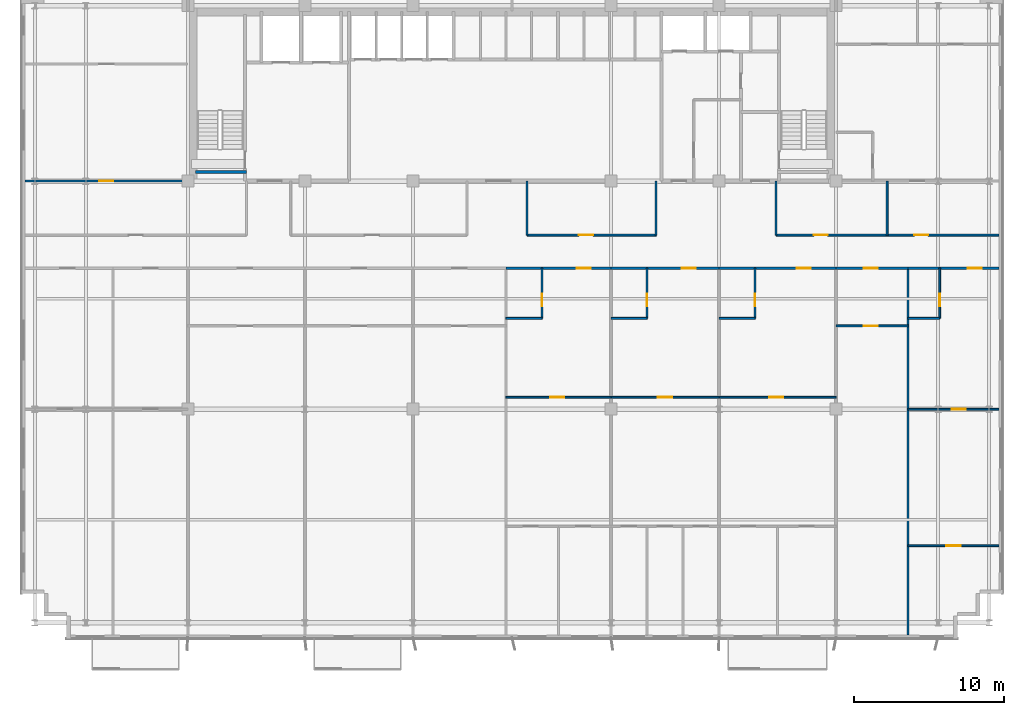
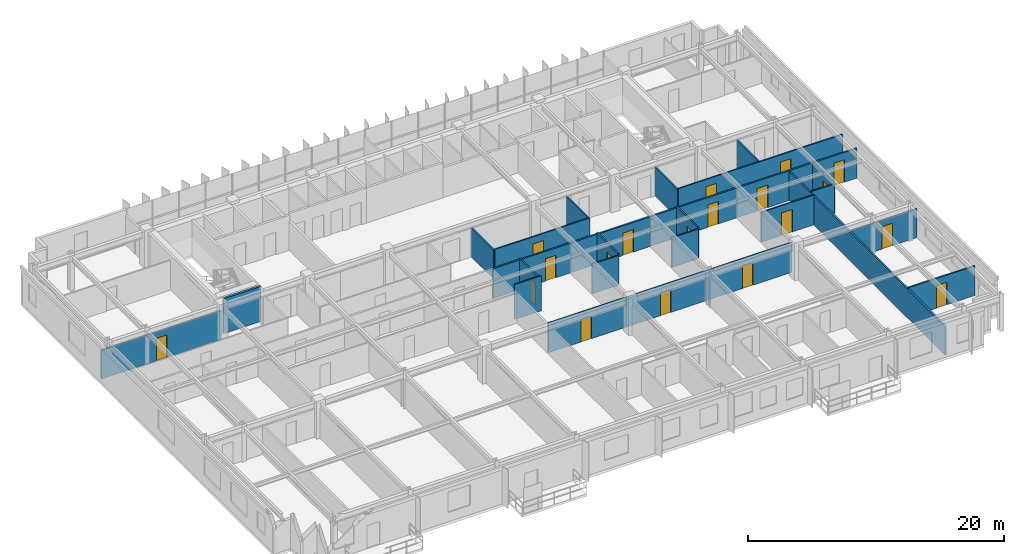
# One storey, part 16 of 22: 28 walls, 19 doors, 19 openings.
"""IFC4 building model written with IfcOpenShell, lengths in metres."""

from ifc_helpers import new_model, si_unit, direction, frame, frame_2d, origin, place, context, subcontext, project, spatial, rectangle, extrude, source, transform, mapped, material, layer, layer_set, type_object, element, fill, save


model = new_model("IFC4")

# Units and contexts
model_context = context("Model", 3, precision=1e-05, world=origin(), true_north=direction((0.0, 1.0)))
body_context = subcontext(model_context, "Body", "Model", "MODEL_VIEW")
ifc_project = project(units=[si_unit("LENGTHUNIT", "METRE"), si_unit("AREAUNIT", "SQUARE_METRE"), si_unit("VOLUMEUNIT", "CUBIC_METRE"), si_unit("PLANEANGLEUNIT", "RADIAN"), si_unit("MASSUNIT", "GRAM", prefix="KILO")], contexts=[model_context])

# Site, building, storey
site_placement = place(None, origin())
site = spatial("IfcSite", under=ifc_project, at=site_placement, CompositionType="ELEMENT")
building_placement = place(site_placement, origin())
building = spatial("IfcBuilding", under=site, at=building_placement, Name="Trelvane Seafront Commons", CompositionType="ELEMENT")
storey_placement = place(building_placement, frame((0.0, 0.0, 88.89990234375)))
storey = spatial("IfcBuildingStorey", under=building, at=storey_placement, Name="L22", CompositionType="ELEMENT", Elevation=88.89990234375)

# Wall, opening, door
ifc_material_1 = material(Name="Gypsum Drywall Acoustic Partition")
ifc_layer_1 = layer(ifc_material_1, 0.1201171875, Name="ARCH-WALL-PART120")
ifc_layer_set_1 = layer_set([ifc_layer_1], Name="Gypsum Drywall Acoustic Partition")
wall_type_1 = type_object("IfcWallType", Name="ARCH-WALL-PART120", PredefinedType="PARTITIONING", material=ifc_layer_set_1)
wall_1_placement = place(storey_placement, frame((38.199951171875, 29.800048828125, 0.0), z_axis=(0.0, 0.0, 1.0), x_axis=(1.0, 0.0, 0.0)))
wall_1 = element("IfcWall", 1, at=wall_1_placement, inside=storey, type_object=wall_type_1, Name="W-L22-CORR-N-M2-040", PredefinedType="PARTITIONING", context=body_context, shape_type="SweptSolid", body=[
    extrude(rectangle(XDim=8.60009765625, YDim=0.1201171875, at=frame_2d((4.300048828125, 0.0))), origin(), (0.0, 0.0, 1.0), 2.840087890625),
])
opening_1_placement = place(wall_1_placement, frame((3.4619140625, 0.0, 0.0)))
opening_1 = element("IfcOpeningElement", 2, at=opening_1_placement, cuts=wall_1, Name="Opening D-L22-19", PredefinedType="OPENING", context=body_context, shape_type="SweptSolid", body=[
    extrude(rectangle(XDim=0.949951171875, YDim=2.14990234375, at=frame_2d((0.47509765625, 1.074951171875))), frame((0.0, 0.070068359375, 0.0), z_axis=(0.0, -1.0, 0.0), x_axis=(1.0, 0.0, 0.0)), (0.0, 0.0, 1.0), 0.14013671875),
])
ifc_material_2 = material(Name="Acoustic timber door leaf", Category="wood")
door_type_1 = type_object("IfcDoorType", Name="ARCH-DR-INT950", OperationType="NOTDEFINED", PredefinedType="DOOR", material=ifc_material_2)
shared_shape_1 = source(origin(), body_context, "Body", "SweptSolid", [
    extrude(rectangle(XDim=0.949951171875, YDim=2.14990234375, at=frame_2d((0.47509765625, 1.074951171875))), frame((0.0, 0.02490234375, 0.0), z_axis=(0.0, -1.0, 0.0), x_axis=(1.0, 0.0, 0.0)), (0.0, 0.0, 1.0), 0.050048828125),
])
door_1_placement = place(opening_1_placement, origin())
door_1 = element("IfcDoor", 3, at=door_1_placement, inside=storey, type_object=door_type_1, Name="L22 Door 19", OperationType="SINGLE_SWING_LEFT", OverallHeight=2.14990234375, OverallWidth=0.949951171875, PredefinedType="DOOR", context=body_context, shape_type="MappedRepresentation", body=[
    mapped(shared_shape_1, transform((0.0, 0.0, 0.0), x_axis=(1.0, 0.0, 0.0), y_axis=(0.0, 1.0, 0.0), z_axis=(0.0, 0.0, 1.0), scale=1.0)),
])
fill(opening_1, door_1)

# Wall, openings, doors
wall_2_placement = place(storey_placement, frame((54.800048828125, 29.800048828125, 0.0), z_axis=(0.0, 0.0, 1.0), x_axis=(1.0, 0.0, 0.0)))
wall_2 = element("IfcWall", 4, at=wall_2_placement, inside=storey, type_object=wall_type_1, Name="W-L22-CORR-N-E-041", PredefinedType="PARTITIONING", context=body_context, shape_type="SweptSolid", body=[
    extrude(rectangle(XDim=14.849853515625, YDim=0.1201171875, at=frame_2d((7.4248046875, 0.0))), origin(), (0.0, 0.0, 1.0), 2.840087890625),
])
opening_2_placement = place(wall_2_placement, frame((2.5, 0.0, 0.0)))
opening_2 = element("IfcOpeningElement", 5, at=opening_2_placement, cuts=wall_2, Name="Opening D-L22-20", PredefinedType="OPENING", context=body_context, shape_type="SweptSolid", body=[
    extrude(rectangle(XDim=0.949951171875, YDim=2.14990234375, at=frame_2d((0.47509765625, 1.074951171875))), frame((0.0, 0.070068359375, 0.0), z_axis=(0.0, -1.0, 0.0), x_axis=(1.0, 0.0, 0.0)), (0.0, 0.0, 1.0), 0.14013671875),
])
opening_3_placement = place(wall_2_placement, frame((9.199951171875, 0.0, 0.0)))
opening_3 = element("IfcOpeningElement", 6, at=opening_3_placement, cuts=wall_2, Name="Opening D-L22-21", PredefinedType="OPENING", context=body_context, shape_type="SweptSolid", body=[
    extrude(rectangle(XDim=0.949951171875, YDim=2.14990234375, at=frame_2d((0.47509765625, 1.074951171875))), frame((0.0, 0.070068359375, 0.0), z_axis=(0.0, -1.0, 0.0), x_axis=(1.0, 0.0, 0.0)), (0.0, 0.0, 1.0), 0.14013671875),
])
door_2_placement = place(opening_2_placement, origin())
door_2 = element("IfcDoor", 7, at=door_2_placement, inside=storey, type_object=door_type_1, Name="L22 Door 20", OperationType="SINGLE_SWING_RIGHT", OverallHeight=2.14990234375, OverallWidth=0.949951171875, PredefinedType="DOOR", context=body_context, shape_type="MappedRepresentation", body=[
    mapped(shared_shape_1, transform((0.0, 0.0, 0.0), x_axis=(1.0, 0.0, 0.0), y_axis=(0.0, 1.0, 0.0), z_axis=(0.0, 0.0, 1.0), scale=1.0)),
])
fill(opening_2, door_2)
door_3_placement = place(opening_3_placement, origin())
door_3 = element("IfcDoor", 8, at=door_3_placement, inside=storey, type_object=door_type_1, Name="L22 Door 21", OperationType="SINGLE_SWING_LEFT", OverallHeight=2.14990234375, OverallWidth=0.949951171875, PredefinedType="DOOR", context=body_context, shape_type="MappedRepresentation", body=[
    mapped(shared_shape_1, transform((0.0, 0.0, 0.0), x_axis=(1.0, 0.0, 0.0), y_axis=(0.0, 1.0, 0.0), z_axis=(0.0, 0.0, 1.0), scale=1.0)),
])
fill(opening_3, door_3)

# Walls
for number, where, z_axis, x_axis, name in (
    (9, (62.199951171875, 29.800048828125, 0.0), (0.0, 0.0, 1.0), (0.0, 1.0, 0.0), "W-L22-N-LAUN-DV-042"),
    (10, (38.199951171875, 29.800048828125, 0.0), (0.0, 0.0, 1.0), (0.0, 1.0, 0.0), "W-L22-N-SPUR-M2-046"),
    (11, (46.800048828125, 29.800048828125, 0.0), (0.0, 0.0, 1.0), (0.0, 1.0, 0.0), "W-L22-N-SPUR-E1-047"),
    (12, (54.800048828125, 29.800048828125, 0.0), (0.0, 0.0, 1.0), (0.0, 1.0, 0.0), "W-L22-N-SPUR-E2-048"),
):
    element("IfcWall", number, at=place(storey_placement, frame(where, z_axis=z_axis, x_axis=x_axis)), inside=storey, type_object=wall_type_1, Name=name, PredefinedType="PARTITIONING", context=body_context, shape_type="SweptSolid", body=[
        extrude(rectangle(XDim=3.599853515625, YDim=0.1201171875, at=frame_2d((1.7998046875, 0.0))), origin(), (0.0, 0.0, 1.0), 2.752197265625),
    ])

# Wall, opening, door
wall_3_placement = place(storey_placement, frame((36.800048828125, 19.0, 0.0), z_axis=(0.0, 0.0, 1.0), x_axis=(1.0, 0.0, 0.0)))
wall_3 = element("IfcWall", 13, at=wall_3_placement, inside=storey, type_object=wall_type_1, Name="W-L22-U6-KL-079", PredefinedType="PARTITIONING", context=body_context, shape_type="SweptSolid", body=[
    extrude(rectangle(XDim=7.0, YDim=0.1201171875, at=frame_2d((3.5, 0.0))), origin(), (0.0, 0.0, 1.0), 2.840087890625),
])
opening_4_placement = place(wall_3_placement, frame((2.93408203125, 0.0, 0.0)))
opening_4 = element("IfcOpeningElement", 14, at=opening_4_placement, cuts=wall_3, Name="Opening D-L22-41", PredefinedType="OPENING", context=body_context, shape_type="SweptSolid", body=[
    extrude(rectangle(XDim=0.949951171875, YDim=2.14990234375, at=frame_2d((0.47509765625, 1.074951171875))), frame((0.0, 0.070068359375, 0.0), z_axis=(0.0, -1.0, 0.0), x_axis=(1.0, 0.0, 0.0)), (0.0, 0.0, 1.0), 0.14013671875),
])
door_4_placement = place(opening_4_placement, origin())
door_4 = element("IfcDoor", 15, at=door_4_placement, inside=storey, type_object=door_type_1, Name="L22 Door 41", OperationType="SINGLE_SWING_LEFT", OverallHeight=2.14990234375, OverallWidth=0.949951171875, PredefinedType="DOOR", context=body_context, shape_type="MappedRepresentation", body=[
    mapped(shared_shape_1, transform((0.0, 0.0, 0.0), x_axis=(1.0, 0.0, 0.0), y_axis=(0.0, 1.0, 0.0), z_axis=(0.0, 0.0, 1.0), scale=1.0)),
])
fill(opening_4, door_4)

wall_4_placement = place(storey_placement, frame((39.199951171875, 24.25, 0.0), z_axis=(0.0, 0.0, 1.0), x_axis=(0.0, 1.0, 0.0)))
wall_4 = element("IfcWall", 16, at=wall_4_placement, inside=storey, type_object=wall_type_1, Name="W-L22-U6-BE-080", PredefinedType="PARTITIONING", context=body_context, shape_type="SweptSolid", body=[
    extrude(rectangle(XDim=3.35009765625, YDim=0.1201171875, at=frame_2d((1.675048828125, 0.0))), origin(), (0.0, 0.0, 1.0), 2.989990234375),
])
opening_5_placement = place(wall_4_placement, frame((0.800048828125, 0.0, 0.0)))
opening_5 = element("IfcOpeningElement", 17, at=opening_5_placement, cuts=wall_4, Name="Opening D-L22-42", PredefinedType="OPENING", context=body_context, shape_type="SweptSolid", body=[
    extrude(rectangle(XDim=0.85009765625, YDim=2.10009765625, at=frame_2d((0.425048828125, 1.050048828125))), frame((0.0, 0.070068359375, 0.0), z_axis=(0.0, -1.0, 0.0), x_axis=(1.0, 0.0, 0.0)), (0.0, 0.0, 1.0), 0.14013671875),
])
door_type_2 = type_object("IfcDoorType", Name="ARCH-DR-INT850", OperationType="NOTDEFINED", PredefinedType="DOOR", material=ifc_material_2)
shared_shape_2 = source(origin(), body_context, "Body", "SweptSolid", [
    extrude(rectangle(XDim=0.85009765625, YDim=2.10009765625, at=frame_2d((0.425048828125, 1.050048828125))), frame((0.0, 0.02490234375, 0.0), z_axis=(0.0, -1.0, 0.0), x_axis=(1.0, 0.0, 0.0)), (0.0, 0.0, 1.0), 0.050048828125),
])
door_5_placement = place(opening_5_placement, origin())
door_5 = element("IfcDoor", 18, at=door_5_placement, inside=storey, type_object=door_type_2, Name="L22 Door 42", OperationType="SINGLE_SWING_RIGHT", OverallHeight=2.10009765625, OverallWidth=0.85009765625, PredefinedType="DOOR", context=body_context, shape_type="MappedRepresentation", body=[
    mapped(shared_shape_2, transform((0.0, 0.0, 0.0), x_axis=(1.0, 0.0, 0.0), y_axis=(0.0, 1.0, 0.0), z_axis=(0.0, 0.0, 1.0), scale=1.0)),
])
fill(opening_5, door_5)

# Wall
wall_5_placement = place(storey_placement, frame((36.800048828125, 24.25, 0.0), z_axis=(0.0, 0.0, 1.0), x_axis=(1.0, 0.0, 0.0)))
element("IfcWall", 19, at=wall_5_placement, inside=storey, type_object=wall_type_1, Name="W-L22-U6-BS-081", PredefinedType="PARTITIONING", context=body_context, shape_type="SweptSolid", body=[
    extrude(rectangle(XDim=2.39990234375, YDim=0.1201171875, at=frame_2d((1.199951171875, 0.0))), origin(), (0.0, 0.0, 1.0), 3.340087890625),
])

# Wall, opening, door
wall_6_placement = place(storey_placement, frame((43.800048828125, 19.0, 0.0), z_axis=(0.0, 0.0, 1.0), x_axis=(1.0, 0.0, 0.0)))
wall_6 = element("IfcWall", 20, at=wall_6_placement, inside=storey, type_object=wall_type_1, Name="W-L22-U7-KL-086", PredefinedType="PARTITIONING", context=body_context, shape_type="SweptSolid", body=[
    extrude(rectangle(XDim=7.199951171875, YDim=0.1201171875, at=frame_2d((3.60009765625, 0.0))), origin(), (0.0, 0.0, 1.0), 2.840087890625),
])
opening_6_placement = place(wall_6_placement, frame((3.125, 0.0, 0.0)))
opening_6 = element("IfcOpeningElement", 21, at=opening_6_placement, cuts=wall_6, Name="Opening D-L22-46", PredefinedType="OPENING", context=body_context, shape_type="SweptSolid", body=[
    extrude(rectangle(XDim=0.949951171875, YDim=2.14990234375, at=frame_2d((0.47509765625, 1.074951171875))), frame((0.0, 0.070068359375, 0.0), z_axis=(0.0, -1.0, 0.0), x_axis=(1.0, 0.0, 0.0)), (0.0, 0.0, 1.0), 0.14013671875),
])
door_6_placement = place(opening_6_placement, origin())
door_6 = element("IfcDoor", 22, at=door_6_placement, inside=storey, type_object=door_type_1, Name="L22 Door 46", OperationType="SINGLE_SWING_RIGHT", OverallHeight=2.14990234375, OverallWidth=0.949951171875, PredefinedType="DOOR", context=body_context, shape_type="MappedRepresentation", body=[
    mapped(shared_shape_1, transform((0.0, 0.0, 0.0), x_axis=(1.0, 0.0, 0.0), y_axis=(0.0, 1.0, 0.0), z_axis=(0.0, 0.0, 1.0), scale=1.0)),
])
fill(opening_6, door_6)

wall_7_placement = place(storey_placement, frame((46.199951171875, 24.25, 0.0), z_axis=(0.0, 0.0, 1.0), x_axis=(0.0, 1.0, 0.0)))
wall_7 = element("IfcWall", 23, at=wall_7_placement, inside=storey, type_object=wall_type_1, Name="W-L22-U7-BE-087", PredefinedType="PARTITIONING", context=body_context, shape_type="SweptSolid", body=[
    extrude(rectangle(XDim=3.35009765625, YDim=0.1201171875, at=frame_2d((1.675048828125, 0.0))), origin(), (0.0, 0.0, 1.0), 2.989990234375),
])
opening_7_placement = place(wall_7_placement, frame((0.800048828125, 0.0, 0.0)))
opening_7 = element("IfcOpeningElement", 24, at=opening_7_placement, cuts=wall_7, Name="Opening D-L22-47", PredefinedType="OPENING", context=body_context, shape_type="SweptSolid", body=[
    extrude(rectangle(XDim=0.85009765625, YDim=2.10009765625, at=frame_2d((0.425048828125, 1.050048828125))), frame((0.0, 0.070068359375, 0.0), z_axis=(0.0, -1.0, 0.0), x_axis=(1.0, 0.0, 0.0)), (0.0, 0.0, 1.0), 0.14013671875),
])
door_7_placement = place(opening_7_placement, origin())
door_7 = element("IfcDoor", 25, at=door_7_placement, inside=storey, type_object=door_type_2, Name="L22 Door 47", OperationType="SINGLE_SWING_LEFT", OverallHeight=2.10009765625, OverallWidth=0.85009765625, PredefinedType="DOOR", context=body_context, shape_type="MappedRepresentation", body=[
    mapped(shared_shape_2, transform((0.0, 0.0, 0.0), x_axis=(1.0, 0.0, 0.0), y_axis=(0.0, 1.0, 0.0), z_axis=(0.0, 0.0, 1.0), scale=1.0)),
])
fill(opening_7, door_7)

# Wall
wall_8_placement = place(storey_placement, frame((43.800048828125, 24.25, 0.0), z_axis=(0.0, 0.0, 1.0), x_axis=(1.0, 0.0, 0.0)))
element("IfcWall", 26, at=wall_8_placement, inside=storey, type_object=wall_type_1, Name="W-L22-U7-BS-088", PredefinedType="PARTITIONING", context=body_context, shape_type="SweptSolid", body=[
    extrude(rectangle(XDim=2.39990234375, YDim=0.1201171875, at=frame_2d((1.199951171875, 0.0))), origin(), (0.0, 0.0, 1.0), 2.840087890625),
])

# Wall, opening, door
wall_9_placement = place(storey_placement, frame((51.0, 19.0, 0.0), z_axis=(0.0, 0.0, 1.0), x_axis=(1.0, 0.0, 0.0)))
wall_9 = element("IfcWall", 27, at=wall_9_placement, inside=storey, type_object=wall_type_1, Name="W-L22-U8-KL-095", PredefinedType="PARTITIONING", context=body_context, shape_type="SweptSolid", body=[
    extrude(rectangle(XDim=7.800048828125, YDim=0.1201171875, at=frame_2d((3.89990234375, 0.0))), origin(), (0.0, 0.0, 1.0), 2.840087890625),
])
opening_8_placement = place(wall_9_placement, frame((3.3330078125, 0.0, 0.0)))
opening_8 = element("IfcOpeningElement", 28, at=opening_8_placement, cuts=wall_9, Name="Opening D-L22-52", PredefinedType="OPENING", context=body_context, shape_type="SweptSolid", body=[
    extrude(rectangle(XDim=0.949951171875, YDim=2.14990234375, at=frame_2d((0.47509765625, 1.074951171875))), frame((0.0, 0.070068359375, 0.0), z_axis=(0.0, -1.0, 0.0), x_axis=(1.0, 0.0, 0.0)), (0.0, 0.0, 1.0), 0.14013671875),
])
door_8_placement = place(opening_8_placement, origin())
door_8 = element("IfcDoor", 29, at=door_8_placement, inside=storey, type_object=door_type_1, Name="L22 Door 52", OperationType="SINGLE_SWING_RIGHT", OverallHeight=2.14990234375, OverallWidth=0.949951171875, PredefinedType="DOOR", context=body_context, shape_type="MappedRepresentation", body=[
    mapped(shared_shape_1, transform((0.0, 0.0, 0.0), x_axis=(1.0, 0.0, 0.0), y_axis=(0.0, 1.0, 0.0), z_axis=(0.0, 0.0, 1.0), scale=1.0)),
])
fill(opening_8, door_8)

wall_10_placement = place(storey_placement, frame((53.39990234375, 24.25, 0.0), z_axis=(0.0, 0.0, 1.0), x_axis=(0.0, 1.0, 0.0)))
wall_10 = element("IfcWall", 30, at=wall_10_placement, inside=storey, type_object=wall_type_1, Name="W-L22-U8-BE-096", PredefinedType="PARTITIONING", context=body_context, shape_type="SweptSolid", body=[
    extrude(rectangle(XDim=3.35009765625, YDim=0.1201171875, at=frame_2d((1.675048828125, 0.0))), origin(), (0.0, 0.0, 1.0), 2.989990234375),
])
opening_9_placement = place(wall_10_placement, frame((0.800048828125, 0.0, 0.0)))
opening_9 = element("IfcOpeningElement", 31, at=opening_9_placement, cuts=wall_10, Name="Opening D-L22-53", PredefinedType="OPENING", context=body_context, shape_type="SweptSolid", body=[
    extrude(rectangle(XDim=0.85009765625, YDim=2.10009765625, at=frame_2d((0.425048828125, 1.050048828125))), frame((0.0, 0.070068359375, 0.0), z_axis=(0.0, -1.0, 0.0), x_axis=(1.0, 0.0, 0.0)), (0.0, 0.0, 1.0), 0.14013671875),
])
door_9_placement = place(opening_9_placement, origin())
door_9 = element("IfcDoor", 32, at=door_9_placement, inside=storey, type_object=door_type_2, Name="L22 Door 53", OperationType="SINGLE_SWING_LEFT", OverallHeight=2.10009765625, OverallWidth=0.85009765625, PredefinedType="DOOR", context=body_context, shape_type="MappedRepresentation", body=[
    mapped(shared_shape_2, transform((0.0, 0.0, 0.0), x_axis=(1.0, 0.0, 0.0), y_axis=(0.0, 1.0, 0.0), z_axis=(0.0, 0.0, 1.0), scale=1.0)),
])
fill(opening_9, door_9)

# Wall
wall_11_placement = place(storey_placement, frame((51.0, 24.25, 0.0), z_axis=(0.0, 0.0, 1.0), x_axis=(1.0, 0.0, 0.0)))
element("IfcWall", 33, at=wall_11_placement, inside=storey, type_object=wall_type_1, Name="W-L22-U8-BS-097", PredefinedType="PARTITIONING", context=body_context, shape_type="SweptSolid", body=[
    extrude(rectangle(XDim=2.39990234375, YDim=0.1201171875, at=frame_2d((1.199951171875, 0.0))), origin(), (0.0, 0.0, 1.0), 2.840087890625),
])

# Wall, opening, door
wall_12_placement = place(storey_placement, frame((58.800048828125, 23.75, 0.0), z_axis=(0.0, 0.0, 1.0), x_axis=(1.0, 0.0, 0.0)))
wall_12 = element("IfcWall", 34, at=wall_12_placement, inside=storey, type_object=wall_type_1, Name="W-L22-U9-DIV-103", PredefinedType="PARTITIONING", context=body_context, shape_type="SweptSolid", body=[
    extrude(rectangle(XDim=4.800048828125, YDim=0.1201171875, at=frame_2d((2.39990234375, 0.0))), origin(), (0.0, 0.0, 1.0), 2.840087890625),
])
opening_10_placement = place(wall_12_placement, frame((1.833984375, 0.0, 0.0)))
opening_10 = element("IfcOpeningElement", 35, at=opening_10_placement, cuts=wall_12, Name="Opening D-L22-58", PredefinedType="OPENING", context=body_context, shape_type="SweptSolid", body=[
    extrude(rectangle(XDim=0.949951171875, YDim=2.14990234375, at=frame_2d((0.47509765625, 1.074951171875))), frame((0.0, 0.070068359375, 0.0), z_axis=(0.0, -1.0, 0.0), x_axis=(1.0, 0.0, 0.0)), (0.0, 0.0, 1.0), 0.14013671875),
])
door_10_placement = place(opening_10_placement, origin())
door_10 = element("IfcDoor", 36, at=door_10_placement, inside=storey, type_object=door_type_1, Name="L22 Door 58", OperationType="SINGLE_SWING_RIGHT", OverallHeight=2.14990234375, OverallWidth=0.949951171875, PredefinedType="DOOR", context=body_context, shape_type="MappedRepresentation", body=[
    mapped(shared_shape_1, transform((0.0, 0.0, 0.0), x_axis=(1.0, 0.0, 0.0), y_axis=(0.0, 1.0, 0.0), z_axis=(0.0, 0.0, 1.0), scale=1.0)),
])
fill(opening_10, door_10)

wall_13_placement = place(storey_placement, frame((63.60009765625, 18.199951171875, 0.0), z_axis=(0.0, 0.0, 1.0), x_axis=(1.0, 0.0, 0.0)))
wall_13 = element("IfcWall", 37, at=wall_13_placement, inside=storey, type_object=wall_type_1, Name="W-L22-U10-KL-104", PredefinedType="PARTITIONING", context=body_context, shape_type="SweptSolid", body=[
    extrude(rectangle(XDim=6.039794921875, YDim=0.1201171875, at=frame_2d((3.02001953125, 0.0))), origin(), (0.0, 0.0, 1.0), 2.752197265625),
])
opening_11_placement = place(wall_13_placement, frame((2.906005859375, 0.0, 0.0)))
opening_11 = element("IfcOpeningElement", 38, at=opening_11_placement, cuts=wall_13, Name="Opening D-L22-59", PredefinedType="OPENING", context=body_context, shape_type="SweptSolid", body=[
    extrude(rectangle(XDim=0.949951171875, YDim=2.14990234375, at=frame_2d((0.47509765625, 1.074951171875))), frame((0.0, 0.070068359375, 0.0), z_axis=(0.0, -1.0, 0.0), x_axis=(1.0, 0.0, 0.0)), (0.0, 0.0, 1.0), 0.14013671875),
])
door_11_placement = place(opening_11_placement, origin())
door_11 = element("IfcDoor", 39, at=door_11_placement, inside=storey, type_object=door_type_1, Name="L22 Door 59", OperationType="SINGLE_SWING_LEFT", OverallHeight=2.14990234375, OverallWidth=0.949951171875, PredefinedType="DOOR", context=body_context, shape_type="MappedRepresentation", body=[
    mapped(shared_shape_1, transform((0.0, 0.0, 0.0), x_axis=(1.0, 0.0, 0.0), y_axis=(0.0, 1.0, 0.0), z_axis=(0.0, 0.0, 1.0), scale=1.0)),
])
fill(opening_11, door_11)

wall_14_placement = place(storey_placement, frame((65.70361328125, 24.25, 0.0), z_axis=(0.0, 0.0, 1.0), x_axis=(0.0, 1.0, 0.0)))
wall_14 = element("IfcWall", 40, at=wall_14_placement, inside=storey, type_object=wall_type_1, Name="W-L22-U10-BE-105", PredefinedType="PARTITIONING", context=body_context, shape_type="SweptSolid", body=[
    extrude(rectangle(XDim=3.35009765625, YDim=0.1201171875, at=frame_2d((1.675048828125, 0.0))), origin(), (0.0, 0.0, 1.0), 2.840087890625),
])
opening_12_placement = place(wall_14_placement, frame((0.800048828125, 0.0, 0.0)))
opening_12 = element("IfcOpeningElement", 41, at=opening_12_placement, cuts=wall_14, Name="Opening D-L22-60", PredefinedType="OPENING", context=body_context, shape_type="SweptSolid", body=[
    extrude(rectangle(XDim=0.85009765625, YDim=2.10009765625, at=frame_2d((0.425048828125, 1.050048828125))), frame((0.0, 0.070068359375, 0.0), z_axis=(0.0, -1.0, 0.0), x_axis=(1.0, 0.0, 0.0)), (0.0, 0.0, 1.0), 0.14013671875),
])
door_12_placement = place(opening_12_placement, origin())
door_12 = element("IfcDoor", 42, at=door_12_placement, inside=storey, type_object=door_type_2, Name="L22 Door 60", OperationType="SINGLE_SWING_RIGHT", OverallHeight=2.10009765625, OverallWidth=0.85009765625, PredefinedType="DOOR", context=body_context, shape_type="MappedRepresentation", body=[
    mapped(shared_shape_2, transform((0.0, 0.0, 0.0), x_axis=(1.0, 0.0, 0.0), y_axis=(0.0, 1.0, 0.0), z_axis=(0.0, 0.0, 1.0), scale=1.0)),
])
fill(opening_12, door_12)

# Wall
wall_15_placement = place(storey_placement, frame((63.60009765625, 24.25, 0.0), z_axis=(0.0, 0.0, 1.0), x_axis=(1.0, 0.0, 0.0)))
element("IfcWall", 43, at=wall_15_placement, inside=storey, type_object=wall_type_1, Name="W-L22-U10-BS-106", PredefinedType="PARTITIONING", context=body_context, shape_type="SweptSolid", body=[
    extrude(rectangle(XDim=2.103515625, YDim=0.1201171875, at=frame_2d((1.0517578125, 0.0))), origin(), (0.0, 0.0, 1.0), 2.840087890625),
])

# Wall, opening, door
wall_16_placement = place(storey_placement, frame((63.60009765625, 9.10009765625, 0.0), z_axis=(0.0, 0.0, 1.0), x_axis=(1.0, 0.0, 0.0)))
wall_16 = element("IfcWall", 44, at=wall_16_placement, inside=storey, type_object=wall_type_1, Name="W-L22-U10-YM-1-108", PredefinedType="PARTITIONING", context=body_context, shape_type="SweptSolid", body=[
    extrude(rectangle(XDim=6.039794921875, YDim=0.1201171875, at=frame_2d((3.02001953125, 0.0))), origin(), (0.0, 0.0, 1.0), 2.840087890625),
])
opening_13_placement = place(wall_16_placement, frame((2.544921875, 0.0, 0.0)))
opening_13 = element("IfcOpeningElement", 45, at=opening_13_placement, cuts=wall_16, Name="Opening D-L22-62", PredefinedType="OPENING", context=body_context, shape_type="SweptSolid", body=[
    extrude(rectangle(XDim=0.949951171875, YDim=2.14990234375, at=frame_2d((0.47509765625, 1.074951171875))), frame((0.0, 0.070068359375, 0.0), z_axis=(0.0, -1.0, 0.0), x_axis=(1.0, 0.0, 0.0)), (0.0, 0.0, 1.0), 0.14013671875),
])
door_13_placement = place(opening_13_placement, origin())
door_13 = element("IfcDoor", 46, at=door_13_placement, inside=storey, type_object=door_type_1, Name="L22 Door 62", OperationType="SINGLE_SWING_RIGHT", OverallHeight=2.14990234375, OverallWidth=0.949951171875, PredefinedType="DOOR", context=body_context, shape_type="MappedRepresentation", body=[
    mapped(shared_shape_1, transform((0.0, 0.0, 0.0), x_axis=(1.0, 0.0, 0.0), y_axis=(0.0, 1.0, 0.0), z_axis=(0.0, 0.0, 1.0), scale=1.0)),
])
fill(opening_13, door_13)

ifc_layer_2 = layer(ifc_material_1, 0.14990234375, Name="ARCH-WALL-PART150")
ifc_layer_set_2 = layer_set([ifc_layer_2], Name="Gypsum Drywall Acoustic Partition")
wall_type_2 = type_object("IfcWallType", Name="ARCH-WALL-PART150", PredefinedType="PARTITIONING", material=ifc_layer_set_2)
wall_17_placement = place(storey_placement, frame((4.75, 33.39990234375, 0.0), z_axis=(0.0, 0.0, 1.0), x_axis=(1.0, 0.0, 0.0)))
wall_17 = element("IfcWall", 47, at=wall_17_placement, inside=storey, type_object=wall_type_2, Name="W-L22-NW-ENT-050", PredefinedType="PARTITIONING", context=body_context, shape_type="SweptSolid", body=[
    extrude(rectangle(XDim=10.85009765625, YDim=0.14990234375, at=frame_2d((5.425048828125, 0.0))), origin(), (0.0, 0.0, 1.0), 2.752197265625),
])
opening_14_placement = place(wall_17_placement, frame((4.93994140625, 0.0, 0.0)))
opening_14 = element("IfcOpeningElement", 48, at=opening_14_placement, cuts=wall_17, Name="Opening FD-L22-23", PredefinedType="OPENING", context=body_context, shape_type="SweptSolid", body=[
    extrude(rectangle(XDim=0.949951171875, YDim=2.14990234375, at=frame_2d((0.47509765625, 1.074951171875))), frame((0.0, 0.0849609375, 0.0), z_axis=(0.0, -1.0, 0.0), x_axis=(1.0, 0.0, 0.0)), (0.0, 0.0, 1.0), 0.169921875),
])
ifc_material_3 = material(Name="Powder-coated aluminium frame", Category="aluminium")
door_type_3 = type_object("IfcDoorType", Name="ARCH-DR-FD60-950", OperationType="NOTDEFINED", PredefinedType="DOOR", material=ifc_material_3)
door_14_placement = place(opening_14_placement, origin())
door_14 = element("IfcDoor", 49, at=door_14_placement, inside=storey, type_object=door_type_3, Name="L22 NW Suite Entrance Door", OperationType="SINGLE_SWING_LEFT", OverallHeight=2.14990234375, OverallWidth=0.949951171875, PredefinedType="DOOR", context=body_context, shape_type="MappedRepresentation", body=[
    mapped(shared_shape_1, transform((0.0, 0.0, 0.0), x_axis=(1.0, 0.0, 0.0), y_axis=(0.0, 1.0, 0.0), z_axis=(0.0, 0.0, 1.0), scale=1.0)),
])
fill(opening_14, door_14)

# Wall
wall_18_placement = place(storey_placement, frame((63.60009765625, 3.14501953125, 0.0), z_axis=(0.0, 0.0, 1.0), x_axis=(0.0, 1.0, 0.0)))
element("IfcWall", 50, at=wall_18_placement, inside=storey, type_object=wall_type_2, Name="W-L22-PW-9-068", PredefinedType="PARTITIONING", context=body_context, shape_type="SweptSolid", body=[
    extrude(rectangle(XDim=24.455078125, YDim=0.14990234375, at=frame_2d((12.2275390625, 0.0))), origin(), (0.0, 0.0, 1.0), 2.752197265625),
])

# Wall, opening, door
wall_19_placement = place(storey_placement, frame((36.800048828125, 27.60009765625, 0.0), z_axis=(0.0, 0.0, 1.0), x_axis=(1.0, 0.0, 0.0)))
wall_19 = element("IfcWall", 51, at=wall_19_placement, inside=storey, type_object=wall_type_2, Name="W-L22-CS-BAY-6-082", PredefinedType="PARTITIONING", context=body_context, shape_type="SweptSolid", body=[
    extrude(rectangle(XDim=7.0, YDim=0.14990234375, at=frame_2d((3.5, 0.0))), origin(), (0.0, 0.0, 1.0), 2.840087890625),
])
opening_15_placement = place(wall_19_placement, frame((4.699951171875, 0.0, 0.0)))
opening_15 = element("IfcOpeningElement", 52, at=opening_15_placement, cuts=wall_19, Name="Opening FD-L22-43", PredefinedType="OPENING", context=body_context, shape_type="SweptSolid", body=[
    extrude(rectangle(XDim=0.949951171875, YDim=2.14990234375, at=frame_2d((0.47509765625, 1.074951171875))), frame((0.0, 0.0849609375, 0.0), z_axis=(0.0, -1.0, 0.0), x_axis=(1.0, 0.0, 0.0)), (0.0, 0.0, 1.0), 0.169921875),
])
door_15_placement = place(opening_15_placement, origin())
door_15 = element("IfcDoor", 53, at=door_15_placement, inside=storey, type_object=door_type_3, Name="L22 Unit 06 Entrance Door", OperationType="SINGLE_SWING_LEFT", OverallHeight=2.14990234375, OverallWidth=0.949951171875, PredefinedType="DOOR", context=body_context, shape_type="MappedRepresentation", body=[
    mapped(shared_shape_1, transform((0.0, 0.0, 0.0), x_axis=(1.0, 0.0, 0.0), y_axis=(0.0, 1.0, 0.0), z_axis=(0.0, 0.0, 1.0), scale=1.0)),
])
fill(opening_15, door_15)

wall_20_placement = place(storey_placement, frame((43.800048828125, 27.60009765625, 0.0), z_axis=(0.0, 0.0, 1.0), x_axis=(1.0, 0.0, 0.0)))
wall_20 = element("IfcWall", 54, at=wall_20_placement, inside=storey, type_object=wall_type_2, Name="W-L22-CS-BAY-7-089", PredefinedType="PARTITIONING", context=body_context, shape_type="SweptSolid", body=[
    extrude(rectangle(XDim=7.199951171875, YDim=0.14990234375, at=frame_2d((3.60009765625, 0.0))), origin(), (0.0, 0.0, 1.0), 2.840087890625),
])
opening_16_placement = place(wall_20_placement, frame((4.7060546875, 0.0, 0.0)))
opening_16 = element("IfcOpeningElement", 55, at=opening_16_placement, cuts=wall_20, Name="Opening FD-L22-48", PredefinedType="OPENING", context=body_context, shape_type="SweptSolid", body=[
    extrude(rectangle(XDim=0.949951171875, YDim=2.14990234375, at=frame_2d((0.47509765625, 1.074951171875))), frame((0.0, 0.0849609375, 0.0), z_axis=(0.0, -1.0, 0.0), x_axis=(1.0, 0.0, 0.0)), (0.0, 0.0, 1.0), 0.169921875),
])
door_16_placement = place(opening_16_placement, origin())
door_16 = element("IfcDoor", 56, at=door_16_placement, inside=storey, type_object=door_type_3, Name="L22 Unit 07 Entrance Door", OperationType="SINGLE_SWING_RIGHT", OverallHeight=2.14990234375, OverallWidth=0.949951171875, PredefinedType="DOOR", context=body_context, shape_type="MappedRepresentation", body=[
    mapped(shared_shape_1, transform((0.0, 0.0, 0.0), x_axis=(1.0, 0.0, 0.0), y_axis=(0.0, 1.0, 0.0), z_axis=(0.0, 0.0, 1.0), scale=1.0)),
])
fill(opening_16, door_16)

wall_21_placement = place(storey_placement, frame((51.0, 27.60009765625, 0.0), z_axis=(0.0, 0.0, 1.0), x_axis=(1.0, 0.0, 0.0)))
wall_21 = element("IfcWall", 57, at=wall_21_placement, inside=storey, type_object=wall_type_2, Name="W-L22-CS-BAY-8-098", PredefinedType="PARTITIONING", context=body_context, shape_type="SweptSolid", body=[
    extrude(rectangle(XDim=7.800048828125, YDim=0.14990234375, at=frame_2d((3.89990234375, 0.0))), origin(), (0.0, 0.0, 1.0), 2.840087890625),
])
opening_17_placement = place(wall_21_placement, frame((5.172119140625, 0.0, 0.0)))
opening_17 = element("IfcOpeningElement", 58, at=opening_17_placement, cuts=wall_21, Name="Opening FD-L22-54", PredefinedType="OPENING", context=body_context, shape_type="SweptSolid", body=[
    extrude(rectangle(XDim=0.949951171875, YDim=2.14990234375, at=frame_2d((0.47509765625, 1.074951171875))), frame((0.0, 0.0849609375, 0.0), z_axis=(0.0, -1.0, 0.0), x_axis=(1.0, 0.0, 0.0)), (0.0, 0.0, 1.0), 0.169921875),
])
door_17_placement = place(opening_17_placement, origin())
door_17 = element("IfcDoor", 59, at=door_17_placement, inside=storey, type_object=door_type_3, Name="L22 Unit 08 Entrance Door", OperationType="SINGLE_SWING_RIGHT", OverallHeight=2.14990234375, OverallWidth=0.949951171875, PredefinedType="DOOR", context=body_context, shape_type="MappedRepresentation", body=[
    mapped(shared_shape_1, transform((0.0, 0.0, 0.0), x_axis=(1.0, 0.0, 0.0), y_axis=(0.0, 1.0, 0.0), z_axis=(0.0, 0.0, 1.0), scale=1.0)),
])
fill(opening_17, door_17)

wall_22_placement = place(storey_placement, frame((58.800048828125, 27.60009765625, 0.0), z_axis=(0.0, 0.0, 1.0), x_axis=(1.0, 0.0, 0.0)))
wall_22 = element("IfcWall", 60, at=wall_22_placement, inside=storey, type_object=wall_type_2, Name="W-L22-CS-BAY-9-102", PredefinedType="PARTITIONING", context=body_context, shape_type="SweptSolid", body=[
    extrude(rectangle(XDim=4.800048828125, YDim=0.14990234375, at=frame_2d((2.39990234375, 0.0))), origin(), (0.0, 0.0, 1.0), 2.840087890625),
])
opening_18_placement = place(wall_22_placement, frame((1.833984375, 0.0, 0.0)))
opening_18 = element("IfcOpeningElement", 61, at=opening_18_placement, cuts=wall_22, Name="Opening FD-L22-57", PredefinedType="OPENING", context=body_context, shape_type="SweptSolid", body=[
    extrude(rectangle(XDim=0.949951171875, YDim=2.14990234375, at=frame_2d((0.47509765625, 1.074951171875))), frame((0.0, 0.0849609375, 0.0), z_axis=(0.0, -1.0, 0.0), x_axis=(1.0, 0.0, 0.0)), (0.0, 0.0, 1.0), 0.169921875),
])
door_18_placement = place(opening_18_placement, origin())
door_18 = element("IfcDoor", 62, at=door_18_placement, inside=storey, type_object=door_type_3, Name="L22 Bay 09 Entrance Door", OperationType="SINGLE_SWING_LEFT", OverallHeight=2.14990234375, OverallWidth=0.949951171875, PredefinedType="DOOR", context=body_context, shape_type="MappedRepresentation", body=[
    mapped(shared_shape_1, transform((0.0, 0.0, 0.0), x_axis=(1.0, 0.0, 0.0), y_axis=(0.0, 1.0, 0.0), z_axis=(0.0, 0.0, 1.0), scale=1.0)),
])
fill(opening_18, door_18)

wall_23_placement = place(storey_placement, frame((63.60009765625, 27.60009765625, 0.0), z_axis=(0.0, 0.0, 1.0), x_axis=(1.0, 0.0, 0.0)))
wall_23 = element("IfcWall", 63, at=wall_23_placement, inside=storey, type_object=wall_type_2, Name="W-L22-CS-BAY-10-107", PredefinedType="PARTITIONING", context=body_context, shape_type="SweptSolid", body=[
    extrude(rectangle(XDim=6.054931640625, YDim=0.14990234375, at=frame_2d((3.02734375, 0.0))), origin(), (0.0, 0.0, 1.0), 2.840087890625),
])
opening_19_placement = place(wall_23_placement, frame((3.9609375, 0.0, 0.0)))
opening_19 = element("IfcOpeningElement", 64, at=opening_19_placement, cuts=wall_23, Name="Opening FD-L22-61", PredefinedType="OPENING", context=body_context, shape_type="SweptSolid", body=[
    extrude(rectangle(XDim=0.949951171875, YDim=2.14990234375, at=frame_2d((0.47509765625, 1.074951171875))), frame((0.0, 0.0849609375, 0.0), z_axis=(0.0, -1.0, 0.0), x_axis=(1.0, 0.0, 0.0)), (0.0, 0.0, 1.0), 0.169921875),
])
door_19_placement = place(opening_19_placement, origin())
door_19 = element("IfcDoor", 65, at=door_19_placement, inside=storey, type_object=door_type_3, Name="L22 Unit 10 Entrance Door", OperationType="SINGLE_SWING_LEFT", OverallHeight=2.14990234375, OverallWidth=0.949951171875, PredefinedType="DOOR", context=body_context, shape_type="MappedRepresentation", body=[
    mapped(shared_shape_1, transform((0.0, 0.0, 0.0), x_axis=(1.0, 0.0, 0.0), y_axis=(0.0, 1.0, 0.0), z_axis=(0.0, 0.0, 1.0), scale=1.0)),
])
fill(opening_19, door_19)

# Wall
ifc_material_4 = material(Name="Concrete C50/60", Category="concrete")
ifc_layer_3 = layer(ifc_material_4, 0.199951171875, Name="STR-WALL-STAIR200")
ifc_layer_set_3 = layer_set([ifc_layer_3], Name="Concrete C50/60")
wall_type_3 = type_object("IfcWallType", Name="STR-WALL-STAIR200", PredefinedType="SHEAR", material=ifc_layer_set_3)
wall_24_placement = place(storey_placement, frame((16.10009765625, 34.0, 0.0), z_axis=(0.0, 0.0, 1.0), x_axis=(1.0, 0.0, 0.0)))
element("IfcWall", 66, at=wall_24_placement, inside=storey, type_object=wall_type_3, Name="W-L22-ST1-S-004", PredefinedType="SHEAR", context=body_context, shape_type="SweptSolid", body=[
    extrude(rectangle(XDim=3.39990234375, YDim=0.199951171875, at=frame_2d((1.699951171875, 0.0))), origin(), (0.0, 0.0, 1.0), 3.340087890625),
])

save(model, "model.ifc")
